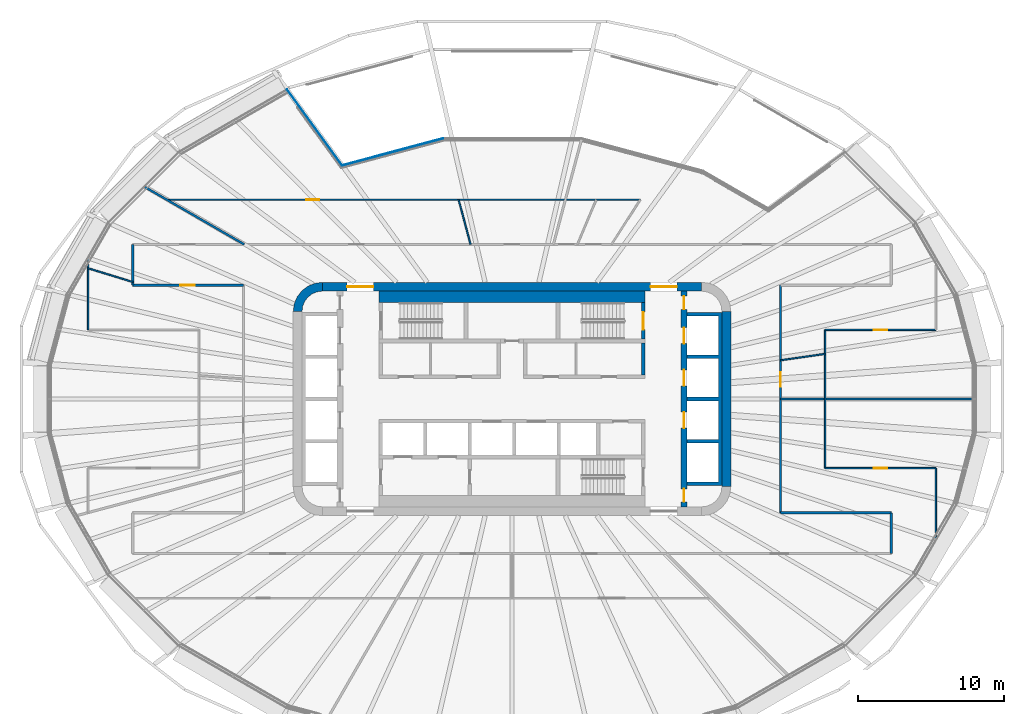
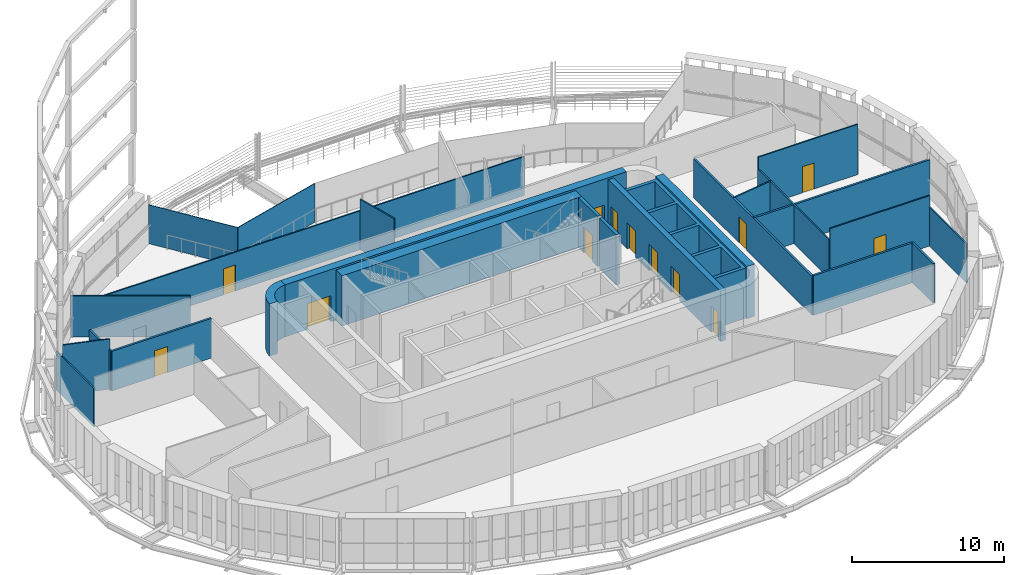
# One storey, part 15 of 25: 26 walls, 13 doors, 13 openings.
"""IFC4 building model written with IfcOpenShell, lengths in metres."""

from ifc_helpers import new_model, si_unit, direction, frame, frame_2d, origin, place, context, subcontext, project, spatial, polyline, rectangle, outline, extrude, material, layer, layer_set, type_object, element, fill, save


model = new_model("IFC4")

# Units and contexts
model_context = context("Model", 3, precision=1e-05, world=origin(), true_north=direction((0.0, 1.0)))
body_context = subcontext(model_context, "Body", "Model", "MODEL_VIEW")
ifc_project = project(units=[si_unit("LENGTHUNIT", "METRE"), si_unit("AREAUNIT", "SQUARE_METRE"), si_unit("VOLUMEUNIT", "CUBIC_METRE"), si_unit("PLANEANGLEUNIT", "RADIAN"), si_unit("MASSUNIT", "GRAM", prefix="KILO")], contexts=[model_context])

# Site, building, storey
site_placement = place(None, origin())
site = spatial("IfcSite", under=ifc_project, at=site_placement, CompositionType="ELEMENT")
building_placement = place(site_placement, origin())
building = spatial("IfcBuilding", under=site, at=building_placement, Name="Sahrelin Media Tower", CompositionType="ELEMENT")
storey_placement = place(building_placement, frame((0.0, 0.0, 127.199951171875)))
storey = spatial("IfcBuildingStorey", under=building, at=storey_placement, Name="L25", CompositionType="ELEMENT", Elevation=127.199951171875)

# Wall, openings, doors
ifc_material_1 = material(Name="Concrete C60/75", Category="concrete")
ifc_layer_1 = layer(ifc_material_1, 0.60009765625)
ifc_layer_set_1 = layer_set([ifc_layer_1], Name="Core wall 600")
wall_type_1 = type_object("IfcWallType", Name="Core wall 600", PredefinedType="SHEAR", material=ifc_layer_set_1)
wall_1_placement = place(storey_placement, frame((-13.0, 7.699951171875, 0.0), z_axis=(0.0, 0.0, 1.0), x_axis=(1.0, 0.0, 0.0)))
wall_1 = element("IfcWall", 1, at=wall_1_placement, inside=storey, type_object=wall_type_1, Name="Core wall N L25", PredefinedType="SHEAR", context=body_context, shape_type="SweptSolid", body=[
    extrude(rectangle(XDim=26.0, YDim=0.60009765625, at=frame_2d((13.0, 0.0))), origin(), (0.0, 0.0, 1.0), 4.199951171875),
])
opening_1_placement = place(wall_1_placement, frame((1.699951171875, 0.0, 0.0)))
opening_1 = element("IfcOpeningElement", 2, at=opening_1_placement, cuts=wall_1, Name="Opening L25-D16", PredefinedType="OPENING", context=body_context, shape_type="SweptSolid", body=[
    extrude(rectangle(XDim=1.800048828125, YDim=2.10009765625, at=frame_2d((0.89990234375, 1.050048828125))), frame((0.0, 0.300048828125, 0.0), z_axis=(0.0, -1.0, 0.0), x_axis=(1.0, 0.0, 0.0)), (0.0, 0.0, 1.0), 0.60009765625),
])
opening_2_placement = place(wall_1_placement, frame((22.5, 0.0, 0.0)))
opening_2 = element("IfcOpeningElement", 3, at=opening_2_placement, cuts=wall_1, Name="Opening L25-D17", PredefinedType="OPENING", context=body_context, shape_type="SweptSolid", body=[
    extrude(rectangle(XDim=1.800048828125, YDim=2.10009765625, at=frame_2d((0.89990234375, 1.050048828125))), frame((0.0, 0.300048828125, 0.0), z_axis=(0.0, -1.0, 0.0), x_axis=(1.0, 0.0, 0.0)), (0.0, 0.0, 1.0), 0.60009765625),
])
ifc_material_2 = material(Name="Steel fire door leaf", Category="steel")
door_type_1 = type_object("IfcDoorType", Name="Lobby double door 1800 x 2100 EI 60", OperationType="DOUBLE_DOOR_SINGLE_SWING", PredefinedType="DOOR", material=ifc_material_2)
door_1_placement = place(opening_1_placement, origin())
door_1 = element("IfcDoor", 4, at=door_1_placement, inside=storey, type_object=door_type_1, Name="Lobby door", OperationType="DOUBLE_DOOR_SINGLE_SWING", OverallHeight=2.10009765625, OverallWidth=1.800048828125, PredefinedType="DOOR", context=body_context, shape_type="SweptSolid", body=[
    extrude(rectangle(XDim=1.800048828125, YDim=2.10009765625, at=frame_2d((0.89990234375, 1.050048828125))), frame((0.0, 0.02490234375, 0.0), z_axis=(0.0, -1.0, 0.0), x_axis=(1.0, 0.0, 0.0)), (0.0, 0.0, 1.0), 0.050048828125),
])
fill(opening_1, door_1)
door_2_placement = place(opening_2_placement, origin())
door_2 = element("IfcDoor", 5, at=door_2_placement, inside=storey, type_object=door_type_1, Name="Lobby door", OperationType="DOUBLE_DOOR_SINGLE_SWING", OverallHeight=2.10009765625, OverallWidth=1.800048828125, PredefinedType="DOOR", context=body_context, shape_type="SweptSolid", body=[
    extrude(rectangle(XDim=1.800048828125, YDim=2.10009765625, at=frame_2d((0.89990234375, 1.050048828125))), frame((0.0, 0.02490234375, 0.0), z_axis=(0.0, -1.0, 0.0), x_axis=(1.0, 0.0, 0.0)), (0.0, 0.0, 1.0), 0.050048828125),
])
fill(opening_2, door_2)

# Walls
wall_2_placement = place(storey_placement, frame((14.699951171875, -6.0, 0.0), z_axis=(0.0, 0.0, 1.0), x_axis=(0.0, 1.0, 0.0)))
element("IfcWall", 6, at=wall_2_placement, inside=storey, type_object=wall_type_1, Name="Core wall E L25", PredefinedType="SHEAR", context=body_context, shape_type="SweptSolid", body=[
    extrude(rectangle(XDim=12.0, YDim=0.60009765625, at=frame_2d((6.0, 0.0))), origin(), (0.0, 0.0, 1.0), 4.199951171875),
])
placement = place(storey_placement, origin())
element("IfcWall", 7, at=placement, inside=storey, type_object=wall_type_1, Name="Core wall corner NW L25", PredefinedType="SHEAR", context=body_context, shape_type="SweptSolid", body=[
    extrude(outline(polyline([(-15.0, 6.0), (-14.394775390625, 6.0), (-14.347412109375, 6.361083984375), (-14.2080078125, 6.697509765625), (-13.986328125, 6.986328125), (-13.697509765625, 7.2080078125), (-13.361083984375, 7.347412109375), (-13.0, 7.394775390625), (-13.0, 8.0), (-13.517578125, 7.931884765625), (-14.0, 7.732177734375), (-14.414306640625, 7.414306640625), (-14.732177734375, 7.0), (-14.931884765625, 6.517578125), (-15.0, 6.0)])), origin(), (0.0, 0.0, 1.0), 4.199951171875),
])
ifc_material_3 = material(Name="Fire-rated gypsum board partition")
ifc_layer_2 = layer(ifc_material_3, 0.25)
ifc_layer_set_2 = layer_set([ifc_layer_2], Name="Fire-rated lobby wall 250")
wall_type_2 = type_object("IfcWallType", Name="Fire-rated lobby wall 250", PredefinedType="PARTITIONING", material=ifc_layer_set_2)
wall_4_placement = place(storey_placement, frame((9.0, 1.64990234375, 0.0), z_axis=(0.0, 0.0, 1.0), x_axis=(0.0, 1.0, 0.0)))
element("IfcWall", 8, at=wall_4_placement, inside=storey, type_object=wall_type_2, Name="Core lobby wall", PredefinedType="PARTITIONING", context=body_context, shape_type="SweptSolid", body=[
    extrude(rectangle(XDim=2.2001953125, YDim=0.25, at=frame_2d((1.10009765625, 0.0))), origin(), (0.0, 0.0, 1.0), 4.050048828125),
])
ifc_layer_3 = layer(ifc_material_3, 0.14990234375)
ifc_layer_set_3 = layer_set([ifc_layer_3], Name="Fire-rated partition 150")
wall_type_3 = type_object("IfcWallType", Name="Fire-rated partition 150", PredefinedType="PARTITIONING", material=ifc_layer_set_3)
wall_5_placement = place(storey_placement, frame((-25.205078125, 14.552001953125, 0.0), z_axis=(0.0, 0.0, 1.0), x_axis=(0.866027670838, -0.499996073327, 0.0)))
element("IfcWall", 9, at=wall_5_placement, inside=storey, type_object=wall_type_3, Name="Wall", PredefinedType="PARTITIONING", context=body_context, shape_type="SweptSolid", body=[
    extrude(rectangle(XDim=7.90380859375, YDim=0.14990234375, at=frame_2d((3.951904296875, 0.0))), origin(), (0.0, 0.0, 1.0), 3.276123046875),
])
wall_6_placement = place(storey_placement, frame((18.39990234375, -7.800048828125, 0.0), z_axis=(0.0, 0.0, 1.0), x_axis=(1.0, 0.0, 0.0)))
element("IfcWall", 10, at=wall_6_placement, inside=storey, type_object=wall_type_3, Name="Wall", PredefinedType="PARTITIONING", context=body_context, shape_type="SweptSolid", body=[
    extrude(rectangle(XDim=7.60009765625, YDim=0.14990234375, at=frame_2d((3.800048828125, 0.0))), origin(), (0.0, 0.0, 1.0), 3.195068359375),
])
wall_7_placement = place(storey_placement, frame((18.39990234375, 0.0, 0.0), z_axis=(0.0, 0.0, 1.0), x_axis=(1.0, 0.0, 0.0)))
element("IfcWall", 11, at=wall_7_placement, inside=storey, type_object=wall_type_3, Name="Wall", PredefinedType="PARTITIONING", context=body_context, shape_type="SweptSolid", body=[
    extrude(rectangle(XDim=13.398193359375, YDim=0.14990234375, at=frame_2d((6.69921875, 0.0))), origin(), (0.0, 0.0, 1.0), 3.126953125),
])

# Wall, opening, door
wall_8_placement = place(storey_placement, frame((-26.0, 7.800048828125, 0.0), z_axis=(0.0, 0.0, 1.0), x_axis=(1.0, 0.0, 0.0)))
wall_8 = element("IfcWall", 12, at=wall_8_placement, inside=storey, type_object=wall_type_3, Name="Wall", PredefinedType="PARTITIONING", context=body_context, shape_type="SweptSolid", body=[
    extrude(rectangle(XDim=7.60009765625, YDim=0.14990234375, at=frame_2d((3.800048828125, 0.0))), origin(), (0.0, 0.0, 1.0), 3.195068359375),
])
opening_3_placement = place(wall_8_placement, frame((3.2490234375, 0.0, 0.0)))
opening_3 = element("IfcOpeningElement", 13, at=opening_3_placement, cuts=wall_8, Name="Opening L25-D34", PredefinedType="OPENING", context=body_context, shape_type="SweptSolid", body=[
    extrude(rectangle(XDim=1.0, YDim=2.10009765625, at=frame_2d((0.5, 1.050048828125))), frame((0.0, 0.074951171875, 0.0), z_axis=(0.0, -1.0, 0.0), x_axis=(1.0, 0.0, 0.0)), (0.0, 0.0, 1.0), 0.14990234375),
])
door_type_2 = type_object("IfcDoorType", Name="Fire door 1000 x 2100 EI 60", OperationType="NOTDEFINED", PredefinedType="DOOR", material=ifc_material_2)
door_3_placement = place(opening_3_placement, origin())
door_3 = element("IfcDoor", 14, at=door_3_placement, inside=storey, type_object=door_type_2, Name="Fire door", OperationType="SINGLE_SWING_RIGHT", OverallHeight=2.10009765625, OverallWidth=1.0, PredefinedType="DOOR", context=body_context, shape_type="SweptSolid", body=[
    extrude(rectangle(XDim=1.0, YDim=2.10009765625, at=frame_2d((0.5, 1.050048828125))), frame((0.0, 0.02490234375, 0.0), z_axis=(0.0, -1.0, 0.0), x_axis=(1.0, 0.0, 0.0)), (0.0, 0.0, 1.0), 0.050048828125),
])
fill(opening_3, door_3)

# Wall
wall_9_placement = place(storey_placement, frame((26.0, -10.60009765625, 0.0), z_axis=(0.0, 0.0, 1.0), x_axis=(0.0, 1.0, 0.0)))
element("IfcWall", 15, at=wall_9_placement, inside=storey, type_object=wall_type_3, Name="Wall", PredefinedType="PARTITIONING", context=body_context, shape_type="SweptSolid", body=[
    extrude(rectangle(XDim=2.800048828125, YDim=0.14990234375, at=frame_2d((1.39990234375, 0.0))), origin(), (0.0, 0.0, 1.0), 3.195068359375),
])

# Wall, opening, door
wall_10_placement = place(storey_placement, frame((18.39990234375, -7.800048828125, 0.0), z_axis=(0.0, 0.0, 1.0), x_axis=(0.0, 1.0, 0.0)))
wall_10 = element("IfcWall", 16, at=wall_10_placement, inside=storey, type_object=wall_type_3, Name="Wall", PredefinedType="PARTITIONING", context=body_context, shape_type="SweptSolid", body=[
    extrude(rectangle(XDim=15.60009765625, YDim=0.14990234375, at=frame_2d((7.800048828125, 0.0))), origin(), (0.0, 0.0, 1.0), 3.126953125),
])
opening_4_placement = place(wall_10_placement, frame((8.62548828125, 0.0, 0.0)))
opening_4 = element("IfcOpeningElement", 17, at=opening_4_placement, cuts=wall_10, Name="Opening L25-D25", PredefinedType="OPENING", context=body_context, shape_type="SweptSolid", body=[
    extrude(rectangle(XDim=1.0, YDim=2.10009765625, at=frame_2d((0.5, 1.050048828125))), frame((0.0, 0.074951171875, 0.0), z_axis=(0.0, -1.0, 0.0), x_axis=(1.0, 0.0, 0.0)), (0.0, 0.0, 1.0), 0.14990234375),
])
door_4_placement = place(opening_4_placement, origin())
door_4 = element("IfcDoor", 18, at=door_4_placement, inside=storey, type_object=door_type_2, Name="Fire door", OperationType="SINGLE_SWING_LEFT", OverallHeight=2.10009765625, OverallWidth=1.0, PredefinedType="DOOR", context=body_context, shape_type="SweptSolid", body=[
    extrude(rectangle(XDim=1.0, YDim=2.10009765625, at=frame_2d((0.5, 1.050048828125))), frame((0.0, 0.02490234375, 0.0), z_axis=(0.0, -1.0, 0.0), x_axis=(1.0, 0.0, 0.0)), (0.0, 0.0, 1.0), 0.050048828125),
])
fill(opening_4, door_4)

# Walls
wall_11_placement = place(storey_placement, frame((-26.0, 7.800048828125, 0.0), z_axis=(0.0, 0.0, 1.0), x_axis=(0.0, 1.0, 0.0)))
element("IfcWall", 19, at=wall_11_placement, inside=storey, type_object=wall_type_3, Name="Wall", PredefinedType="PARTITIONING", context=body_context, shape_type="SweptSolid", body=[
    extrude(rectangle(XDim=2.800048828125, YDim=0.14990234375, at=frame_2d((1.39990234375, 0.0))), origin(), (0.0, 0.0, 1.0), 3.195068359375),
])
ifc_material_4 = material(Name="Clear glass", Category="glass")
ifc_layer_4 = layer(ifc_material_4, 0.050048828125)
ifc_layer_set_4 = layer_set([ifc_layer_4], Name="Glazed partition 50")
wall_type_4 = type_object("IfcWallType", Name="Glazed partition 50", PredefinedType="PARTITIONING", material=ifc_layer_set_4)
wall_12_placement = place(storey_placement, frame((-15.4140625, 21.2099609375, 0.0), z_axis=(0.0, 0.0, 1.0), x_axis=(0.587866723906, -0.808957795514, 0.0)))
element("IfcWall", 20, at=wall_12_placement, inside=storey, type_object=wall_type_4, Name="Wall", PredefinedType="PARTITIONING", context=body_context, shape_type="SweptSolid", body=[
    extrude(rectangle(XDim=6.4267578125, YDim=0.050048828125, at=frame_2d((3.21337890625, 0.0))), origin(), (0.0, 0.0, 1.0), 3.126953125),
])
wall_13_placement = place(storey_placement, frame((-11.635986328125, 16.010986328125, 0.0), z_axis=(0.0, 0.0, 1.0), x_axis=(0.965932232061, 0.258795137252, 0.0)))
element("IfcWall", 21, at=wall_13_placement, inside=storey, type_object=wall_type_4, Name="Wall", PredefinedType="PARTITIONING", context=body_context, shape_type="SweptSolid", body=[
    extrude(rectangle(XDim=7.1640625, YDim=0.050048828125, at=frame_2d((3.58203125, 0.0))), origin(), (0.0, 0.0, 1.0), 3.126953125),
])
ifc_layer_5 = layer(ifc_material_1, 0.25)
ifc_layer_set_5 = layer_set([ifc_layer_5], Name="Lift shaft wall 250")
wall_type_5 = type_object("IfcWallType", Name="Lift shaft wall 250", PredefinedType="SOLIDWALL", material=ifc_layer_set_5)
element("IfcWall", 22, at=placement, inside=storey, type_object=wall_type_5, Name="Lift shaft wall", PredefinedType="SOLIDWALL", context=body_context, shape_type="SweptSolid", body=[
    extrude(outline(polyline([(12.0, -5.675048828125), (12.0, -5.925048828125), (14.14990234375, -5.925048828125), (14.39990234375, -5.925048828125), (14.39990234375, -5.675048828125), (14.39990234375, -3.02490234375), (14.39990234375, -2.77490234375), (14.39990234375, -0.125), (14.39990234375, 0.125), (14.39990234375, 2.77490234375), (14.39990234375, 3.02490234375), (14.39990234375, 5.675048828125), (14.39990234375, 5.925048828125), (14.14990234375, 5.925048828125), (12.0, 5.925048828125), (12.0, 5.675048828125), (14.14990234375, 5.675048828125), (14.14990234375, 3.02490234375), (12.0, 3.02490234375), (12.0, 2.77490234375), (14.14990234375, 2.77490234375), (14.14990234375, 0.125), (12.0, 0.125), (12.0, -0.125), (14.14990234375, -0.125), (14.14990234375, -2.77490234375), (12.0, -2.77490234375), (12.0, -3.02490234375), (14.14990234375, -3.02490234375), (14.14990234375, -5.675048828125), (12.0, -5.675048828125)])), origin(), (0.0, 0.0, 1.0), 4.050048828125),
])

# Wall, openings, doors
ifc_layer_6 = layer(ifc_material_1, 0.39990234375)
ifc_layer_set_6 = layer_set([ifc_layer_6], Name="Lift shaft wall 400")
wall_type_6 = type_object("IfcWallType", Name="Lift shaft wall 400", PredefinedType="SOLIDWALL", material=ifc_layer_set_6)
wall_15_placement = place(storey_placement, frame((11.800048828125, -7.39990234375, 0.0), z_axis=(0.0, 0.0, 1.0), x_axis=(0.0, 1.0, 0.0)))
wall_15 = element("IfcWall", 23, at=wall_15_placement, inside=storey, type_object=wall_type_6, Name="Lift shaft wall", PredefinedType="SOLIDWALL", context=body_context, shape_type="SweptSolid", body=[
    extrude(rectangle(XDim=14.7998046875, YDim=0.39990234375, at=frame_2d((7.39990234375, 0.0))), origin(), (0.0, 0.0, 1.0), 4.050048828125),
])
opening_5_placement = place(wall_15_placement, frame((11.199951171875, 0.0, 0.0)))
opening_5 = element("IfcOpeningElement", 24, at=opening_5_placement, cuts=wall_15, Name="Opening L25-LD-LR4", PredefinedType="OPENING", context=body_context, shape_type="SweptSolid", body=[
    extrude(rectangle(XDim=1.10009765625, YDim=2.10009765625, at=frame_2d((0.550048828125, 1.050048828125))), frame((0.0, 0.199951171875, 0.0), z_axis=(0.0, -1.0, 0.0), x_axis=(1.0, 0.0, 0.0)), (0.0, 0.0, 1.0), 0.39990234375),
])
opening_6_placement = place(wall_15_placement, frame((8.300048828125, 0.0, 0.0)))
opening_6 = element("IfcOpeningElement", 25, at=opening_6_placement, cuts=wall_15, Name="Opening L25-LD-LR5", PredefinedType="OPENING", context=body_context, shape_type="SweptSolid", body=[
    extrude(rectangle(XDim=1.10009765625, YDim=2.10009765625, at=frame_2d((0.550048828125, 1.050048828125))), frame((0.0, 0.199951171875, 0.0), z_axis=(0.0, -1.0, 0.0), x_axis=(1.0, 0.0, 0.0)), (0.0, 0.0, 1.0), 0.39990234375),
])
opening_7_placement = place(wall_15_placement, frame((5.39990234375, 0.0, 0.0)))
opening_7 = element("IfcOpeningElement", 26, at=opening_7_placement, cuts=wall_15, Name="Opening L25-LD-LR6", PredefinedType="OPENING", context=body_context, shape_type="SweptSolid", body=[
    extrude(rectangle(XDim=1.10009765625, YDim=2.10009765625, at=frame_2d((0.550048828125, 1.050048828125))), frame((0.0, 0.199951171875, 0.0), z_axis=(0.0, -1.0, 0.0), x_axis=(1.0, 0.0, 0.0)), (0.0, 0.0, 1.0), 0.39990234375),
])
opening_8_placement = place(wall_15_placement, frame((13.552490234375, 0.0, 0.0)))
opening_8 = element("IfcOpeningElement", 27, at=opening_8_placement, cuts=wall_15, Name="Opening L25-D14", PredefinedType="OPENING", context=body_context, shape_type="SweptSolid", body=[
    extrude(rectangle(XDim=0.89990234375, YDim=2.10009765625, at=frame_2d((0.449951171875, 1.050048828125))), frame((0.0, 0.199951171875, 0.0), z_axis=(0.0, -1.0, 0.0), x_axis=(1.0, 0.0, 0.0)), (0.0, 0.0, 1.0), 0.39990234375),
])
opening_9_placement = place(wall_15_placement, frame((0.347412109375, 0.0, 0.0)))
opening_9 = element("IfcOpeningElement", 28, at=opening_9_placement, cuts=wall_15, Name="Opening L25-D15", PredefinedType="OPENING", context=body_context, shape_type="SweptSolid", body=[
    extrude(rectangle(XDim=0.89990234375, YDim=2.10009765625, at=frame_2d((0.449951171875, 1.050048828125))), frame((0.0, 0.199951171875, 0.0), z_axis=(0.0, -1.0, 0.0), x_axis=(1.0, 0.0, 0.0)), (0.0, 0.0, 1.0), 0.39990234375),
])
ifc_material_5 = material(Name="Stainless steel", Category="steel")
door_type_3 = type_object("IfcDoorType", Name="Lift landing door 1100 x 2100 EI 120", OperationType="DOUBLE_DOOR_SLIDING", PredefinedType="DOOR", material=ifc_material_5)
door_5_placement = place(opening_5_placement, origin())
door_5 = element("IfcDoor", 29, at=door_5_placement, inside=storey, type_object=door_type_3, Name="Lift landing door LR4", OperationType="DOUBLE_DOOR_SLIDING", OverallHeight=2.10009765625, OverallWidth=1.10009765625, PredefinedType="DOOR", context=body_context, shape_type="SweptSolid", body=[
    extrude(rectangle(XDim=1.10009765625, YDim=2.10009765625, at=frame_2d((0.550048828125, 1.050048828125))), frame((0.0, 0.02490234375, 0.0), z_axis=(0.0, -1.0, 0.0), x_axis=(1.0, 0.0, 0.0)), (0.0, 0.0, 1.0), 0.050048828125),
])
fill(opening_5, door_5)
door_6_placement = place(opening_6_placement, origin())
door_6 = element("IfcDoor", 30, at=door_6_placement, inside=storey, type_object=door_type_3, Name="Lift landing door LR5", OperationType="DOUBLE_DOOR_SLIDING", OverallHeight=2.10009765625, OverallWidth=1.10009765625, PredefinedType="DOOR", context=body_context, shape_type="SweptSolid", body=[
    extrude(rectangle(XDim=1.10009765625, YDim=2.10009765625, at=frame_2d((0.550048828125, 1.050048828125))), frame((0.0, 0.02490234375, 0.0), z_axis=(0.0, -1.0, 0.0), x_axis=(1.0, 0.0, 0.0)), (0.0, 0.0, 1.0), 0.050048828125),
])
fill(opening_6, door_6)
door_7_placement = place(opening_7_placement, origin())
door_7 = element("IfcDoor", 31, at=door_7_placement, inside=storey, type_object=door_type_3, Name="Lift landing door LR6", OperationType="DOUBLE_DOOR_SLIDING", OverallHeight=2.10009765625, OverallWidth=1.10009765625, PredefinedType="DOOR", context=body_context, shape_type="SweptSolid", body=[
    extrude(rectangle(XDim=1.10009765625, YDim=2.10009765625, at=frame_2d((0.550048828125, 1.050048828125))), frame((0.0, 0.02490234375, 0.0), z_axis=(0.0, -1.0, 0.0), x_axis=(1.0, 0.0, 0.0)), (0.0, 0.0, 1.0), 0.050048828125),
])
fill(opening_7, door_7)
door_type_4 = type_object("IfcDoorType", Name="Riser door 900 x 2100 EI 120", OperationType="NOTDEFINED", PredefinedType="DOOR", material=ifc_material_2)
door_8_placement = place(opening_8_placement, origin())
door_8 = element("IfcDoor", 32, at=door_8_placement, inside=storey, type_object=door_type_4, Name="Riser door", OperationType="SINGLE_SWING_RIGHT", OverallHeight=2.10009765625, OverallWidth=0.89990234375, PredefinedType="DOOR", context=body_context, shape_type="SweptSolid", body=[
    extrude(rectangle(XDim=0.89990234375, YDim=2.10009765625, at=frame_2d((0.449951171875, 1.050048828125))), frame((0.0, 0.02490234375, 0.0), z_axis=(0.0, -1.0, 0.0), x_axis=(1.0, 0.0, 0.0)), (0.0, 0.0, 1.0), 0.050048828125),
])
fill(opening_8, door_8)
door_9_placement = place(opening_9_placement, origin())
door_9 = element("IfcDoor", 33, at=door_9_placement, inside=storey, type_object=door_type_4, Name="Riser door", OperationType="SINGLE_SWING_RIGHT", OverallHeight=2.10009765625, OverallWidth=0.89990234375, PredefinedType="DOOR", context=body_context, shape_type="SweptSolid", body=[
    extrude(rectangle(XDim=0.89990234375, YDim=2.10009765625, at=frame_2d((0.449951171875, 1.050048828125))), frame((0.0, 0.02490234375, 0.0), z_axis=(0.0, -1.0, 0.0), x_axis=(1.0, 0.0, 0.0)), (0.0, 0.0, 1.0), 0.050048828125),
])
fill(opening_9, door_9)

# Walls
ifc_material_6 = material(Name="Gypsum board partition")
ifc_layer_7 = layer(ifc_material_6, 0.10009765625)
ifc_layer_set_7 = layer_set([ifc_layer_7], Name="Partition 100")
wall_type_7 = type_object("IfcWallType", Name="Partition 100", PredefinedType="PARTITIONING", material=ifc_layer_set_7)
wall_16_placement = place(storey_placement, frame((-3.659912109375, 13.659912109375, 0.0), z_axis=(0.0, 0.0, 1.0), x_axis=(0.258804143637, -0.965929819001, 0.0)))
element("IfcWall", 34, at=wall_16_placement, inside=storey, type_object=wall_type_7, Name="Wall", PredefinedType="PARTITIONING", context=body_context, shape_type="SweptSolid", body=[
    extrude(rectangle(XDim=3.167724609375, YDim=0.10009765625, at=frame_2d((1.583984375, 0.0))), origin(), (0.0, 0.0, 1.0), 4.050048828125),
])
wall_17_placement = place(storey_placement, frame((-29.06005859375, 8.964111328125, 0.0), z_axis=(0.0, 0.0, 1.0), x_axis=(0.955556205091, -0.294808987162, 0.0)))
element("IfcWall", 35, at=wall_17_placement, inside=storey, type_object=wall_type_7, Name="Wall", PredefinedType="PARTITIONING", context=body_context, shape_type="SweptSolid", body=[
    extrude(rectangle(XDim=3.202392578125, YDim=0.10009765625, at=frame_2d((1.60107421875, 0.0))), origin(), (0.0, 0.0, 1.0), 4.050048828125),
])

# Wall, opening, door
wall_18_placement = place(storey_placement, frame((21.4599609375, -4.739990234375, 0.0), z_axis=(0.0, 0.0, 1.0), x_axis=(1.0, 0.0, 0.0)))
wall_18 = element("IfcWall", 36, at=wall_18_placement, inside=storey, type_object=wall_type_7, Name="Wall", PredefinedType="PARTITIONING", context=body_context, shape_type="SweptSolid", body=[
    extrude(rectangle(XDim=7.60009765625, YDim=0.10009765625, at=frame_2d((3.800048828125, 0.0))), origin(), (0.0, 0.0, 1.0), 4.050048828125),
])
opening_10_placement = place(wall_18_placement, frame((3.35009765625, 0.0, 0.0)))
opening_10 = element("IfcOpeningElement", 37, at=opening_10_placement, cuts=wall_18, Name="Opening L25-D24", PredefinedType="OPENING", context=body_context, shape_type="SweptSolid", body=[
    extrude(rectangle(XDim=0.89990234375, YDim=2.10009765625, at=frame_2d((0.449951171875, 1.050048828125))), frame((0.0, 0.050048828125, 0.0), z_axis=(0.0, -1.0, 0.0), x_axis=(1.0, 0.0, 0.0)), (0.0, 0.0, 1.0), 0.10009765625),
])
ifc_material_7 = material(Name="Timber door leaf", Category="wood")
door_type_5 = type_object("IfcDoorType", Name="Single door 900 x 2100", OperationType="NOTDEFINED", PredefinedType="DOOR", material=ifc_material_7)
door_10_placement = place(opening_10_placement, origin())
door_10 = element("IfcDoor", 38, at=door_10_placement, inside=storey, type_object=door_type_5, Name="Single door", OperationType="SINGLE_SWING_RIGHT", OverallHeight=2.10009765625, OverallWidth=0.89990234375, PredefinedType="DOOR", context=body_context, shape_type="SweptSolid", body=[
    extrude(rectangle(XDim=0.89990234375, YDim=2.10009765625, at=frame_2d((0.449951171875, 1.050048828125))), frame((0.0, 0.02490234375, 0.0), z_axis=(0.0, -1.0, 0.0), x_axis=(1.0, 0.0, 0.0)), (0.0, 0.0, 1.0), 0.050048828125),
])
fill(opening_10, door_10)

wall_19_placement = place(storey_placement, frame((21.4599609375, 4.739990234375, 0.0), z_axis=(0.0, 0.0, 1.0), x_axis=(1.0, 0.0, 0.0)))
wall_19 = element("IfcWall", 39, at=wall_19_placement, inside=storey, type_object=wall_type_7, Name="Wall", PredefinedType="PARTITIONING", context=body_context, shape_type="SweptSolid", body=[
    extrude(rectangle(XDim=7.60009765625, YDim=0.10009765625, at=frame_2d((3.800048828125, 0.0))), origin(), (0.0, 0.0, 1.0), 4.050048828125),
])
opening_11_placement = place(wall_19_placement, frame((3.35009765625, 0.0, 0.0)))
opening_11 = element("IfcOpeningElement", 40, at=opening_11_placement, cuts=wall_19, Name="Opening L25-D29", PredefinedType="OPENING", context=body_context, shape_type="SweptSolid", body=[
    extrude(rectangle(XDim=0.89990234375, YDim=2.10009765625, at=frame_2d((0.449951171875, 1.050048828125))), frame((0.0, 0.050048828125, 0.0), z_axis=(0.0, -1.0, 0.0), x_axis=(1.0, 0.0, 0.0)), (0.0, 0.0, 1.0), 0.10009765625),
])
door_11_placement = place(opening_11_placement, origin())
door_11 = element("IfcDoor", 41, at=door_11_placement, inside=storey, type_object=door_type_5, Name="Single door", OperationType="SINGLE_SWING_LEFT", OverallHeight=2.10009765625, OverallWidth=0.89990234375, PredefinedType="DOOR", context=body_context, shape_type="SweptSolid", body=[
    extrude(rectangle(XDim=0.89990234375, YDim=2.10009765625, at=frame_2d((0.449951171875, 1.050048828125))), frame((0.0, 0.02490234375, 0.0), z_axis=(0.0, -1.0, 0.0), x_axis=(1.0, 0.0, 0.0)), (0.0, 0.0, 1.0), 0.050048828125),
])
fill(opening_11, door_11)

wall_20_placement = place(storey_placement, frame((-23.659912109375, 13.659912109375, 0.0), z_axis=(0.0, 0.0, 1.0), x_axis=(1.0, 0.0, 0.0)))
wall_20 = element("IfcWall", 42, at=wall_20_placement, inside=storey, type_object=wall_type_7, Name="Wall", PredefinedType="PARTITIONING", context=body_context, shape_type="SweptSolid", body=[
    extrude(rectangle(XDim=32.450927734375, YDim=0.10009765625, at=frame_2d((16.2255859375, 0.0))), origin(), (0.0, 0.0, 1.0), 3.126953125),
])
opening_12_placement = place(wall_20_placement, frame((9.550048828125, 0.0, 0.0)))
opening_12 = element("IfcOpeningElement", 43, at=opening_12_placement, cuts=wall_20, Name="Opening L25-D32", PredefinedType="OPENING", context=body_context, shape_type="SweptSolid", body=[
    extrude(rectangle(XDim=0.89990234375, YDim=2.10009765625, at=frame_2d((0.449951171875, 1.050048828125))), frame((0.0, 0.050048828125, 0.0), z_axis=(0.0, -1.0, 0.0), x_axis=(1.0, 0.0, 0.0)), (0.0, 0.0, 1.0), 0.10009765625),
])
door_12_placement = place(opening_12_placement, origin())
door_12 = element("IfcDoor", 44, at=door_12_placement, inside=storey, type_object=door_type_5, Name="Single door", OperationType="SINGLE_SWING_RIGHT", OverallHeight=2.10009765625, OverallWidth=0.89990234375, PredefinedType="DOOR", context=body_context, shape_type="SweptSolid", body=[
    extrude(rectangle(XDim=0.89990234375, YDim=2.10009765625, at=frame_2d((0.449951171875, 1.050048828125))), frame((0.0, 0.02490234375, 0.0), z_axis=(0.0, -1.0, 0.0), x_axis=(1.0, 0.0, 0.0)), (0.0, 0.0, 1.0), 0.050048828125),
])
fill(opening_12, door_12)

# Walls
wall_21_placement = place(storey_placement, frame((18.39990234375, 2.65087890625, 0.0), z_axis=(0.0, 0.0, 1.0), x_axis=(0.989767054152, 0.142692601472, 0.0)))
element("IfcWall", 45, at=wall_21_placement, inside=storey, type_object=wall_type_7, Name="Wall", PredefinedType="PARTITIONING", context=body_context, shape_type="SweptSolid", body=[
    extrude(rectangle(XDim=3.091796875, YDim=0.10009765625, at=frame_2d((1.5458984375, 0.0))), origin(), (0.0, 0.0, 1.0), 3.126953125),
])
wall_22_placement = place(storey_placement, frame((29.06005859375, -9.69091796875, 0.0), z_axis=(0.0, 0.0, 1.0), x_axis=(0.0, 1.0, 0.0)))
element("IfcWall", 46, at=wall_22_placement, inside=storey, type_object=wall_type_7, Name="Wall", PredefinedType="PARTITIONING", context=body_context, shape_type="SweptSolid", body=[
    extrude(rectangle(XDim=4.950927734375, YDim=0.10009765625, at=frame_2d((2.4755859375, 0.0))), origin(), (0.0, 0.0, 1.0), 3.126953125),
])
wall_23_placement = place(storey_placement, frame((21.4599609375, -4.739990234375, 0.0), z_axis=(0.0, 0.0, 1.0), x_axis=(0.0, 1.0, 0.0)))
element("IfcWall", 47, at=wall_23_placement, inside=storey, type_object=wall_type_7, Name="Wall", PredefinedType="PARTITIONING", context=body_context, shape_type="SweptSolid", body=[
    extrude(rectangle(XDim=9.47998046875, YDim=0.10009765625, at=frame_2d((4.739990234375, 0.0))), origin(), (0.0, 0.0, 1.0), 3.126953125),
])
wall_24_placement = place(storey_placement, frame((-29.06005859375, 4.739990234375, 0.0), z_axis=(0.0, 0.0, 1.0), x_axis=(0.0, 1.0, 0.0)))
element("IfcWall", 48, at=wall_24_placement, inside=storey, type_object=wall_type_7, Name="Wall", PredefinedType="PARTITIONING", context=body_context, shape_type="SweptSolid", body=[
    extrude(rectangle(XDim=4.950927734375, YDim=0.10009765625, at=frame_2d((2.4755859375, 0.0))), origin(), (0.0, 0.0, 1.0), 3.126953125),
])

# Wall, opening, door
ifc_layer_8 = layer(ifc_material_1, 0.25)
ifc_layer_set_8 = layer_set([ifc_layer_8], Name="Stair enclosure wall 250")
wall_type_8 = type_object("IfcWallType", Name="Stair enclosure wall 250", PredefinedType="SOLIDWALL", material=ifc_layer_set_8)
wall_25_placement = place(storey_placement, frame((9.0, 4.10009765625, 0.0), z_axis=(0.0, 0.0, 1.0), x_axis=(0.0, 1.0, 0.0)))
wall_25 = element("IfcWall", 49, at=wall_25_placement, inside=storey, type_object=wall_type_8, Name="Stair enclosure wall", PredefinedType="SOLIDWALL", context=body_context, shape_type="SweptSolid", body=[
    extrude(rectangle(XDim=2.5, YDim=0.25, at=frame_2d((1.25, 0.0))), origin(), (0.0, 0.0, 1.0), 4.050048828125),
])
opening_13_placement = place(wall_25_placement, frame((0.64990234375, 0.0, 0.0)))
opening_13 = element("IfcOpeningElement", 50, at=opening_13_placement, cuts=wall_25, Name="Opening L25-D02", PredefinedType="OPENING", context=body_context, shape_type="SweptSolid", body=[
    extrude(rectangle(XDim=1.199951171875, YDim=2.10009765625, at=frame_2d((0.60009765625, 1.050048828125))), frame((0.0, 0.125, 0.0), z_axis=(0.0, -1.0, 0.0), x_axis=(1.0, 0.0, 0.0)), (0.0, 0.0, 1.0), 0.25),
])
door_type_6 = type_object("IfcDoorType", Name="Stair door 1200 x 2100 EI 120", OperationType="NOTDEFINED", PredefinedType="DOOR", material=ifc_material_2)
door_13_placement = place(opening_13_placement, origin())
door_13 = element("IfcDoor", 51, at=door_13_placement, inside=storey, type_object=door_type_6, Name="Stair door ST3", OperationType="SINGLE_SWING_LEFT", OverallHeight=2.10009765625, OverallWidth=1.199951171875, PredefinedType="DOOR", context=body_context, shape_type="SweptSolid", body=[
    extrude(rectangle(XDim=1.199951171875, YDim=2.10009765625, at=frame_2d((0.60009765625, 1.050048828125))), frame((0.0, 0.02490234375, 0.0), z_axis=(0.0, -1.0, 0.0), x_axis=(1.0, 0.0, 0.0)), (0.0, 0.0, 1.0), 0.050048828125),
])
fill(opening_13, door_13)

# Wall
ifc_layer_9 = layer(ifc_material_1, 0.800048828125)
ifc_layer_set_9 = layer_set([ifc_layer_9], Name="Stair enclosure wall 800")
wall_type_9 = type_object("IfcWallType", Name="Stair enclosure wall 800", PredefinedType="SOLIDWALL", material=ifc_layer_set_9)
wall_26_placement = place(storey_placement, frame((-9.125, 7.0, 0.0), z_axis=(0.0, 0.0, 1.0), x_axis=(1.0, 0.0, 0.0)))
element("IfcWall", 52, at=wall_26_placement, inside=storey, type_object=wall_type_9, Name="Stair enclosure wall", PredefinedType="SOLIDWALL", context=body_context, shape_type="SweptSolid", body=[
    extrude(rectangle(XDim=18.25, YDim=0.800048828125, at=frame_2d((9.125, 0.0))), origin(), (0.0, 0.0, 1.0), 4.050048828125),
])

save(model, "model.ifc")
